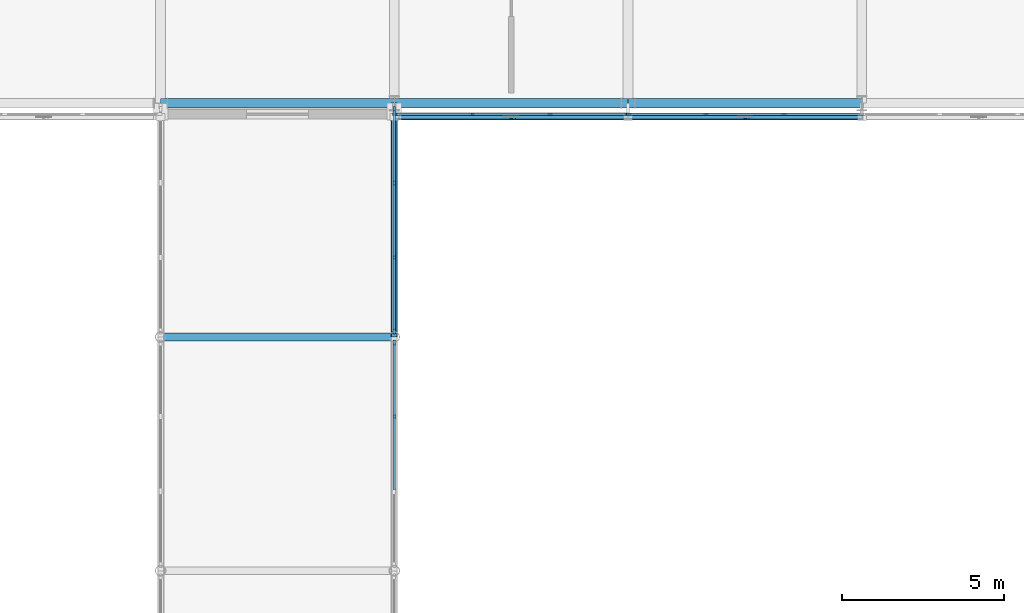
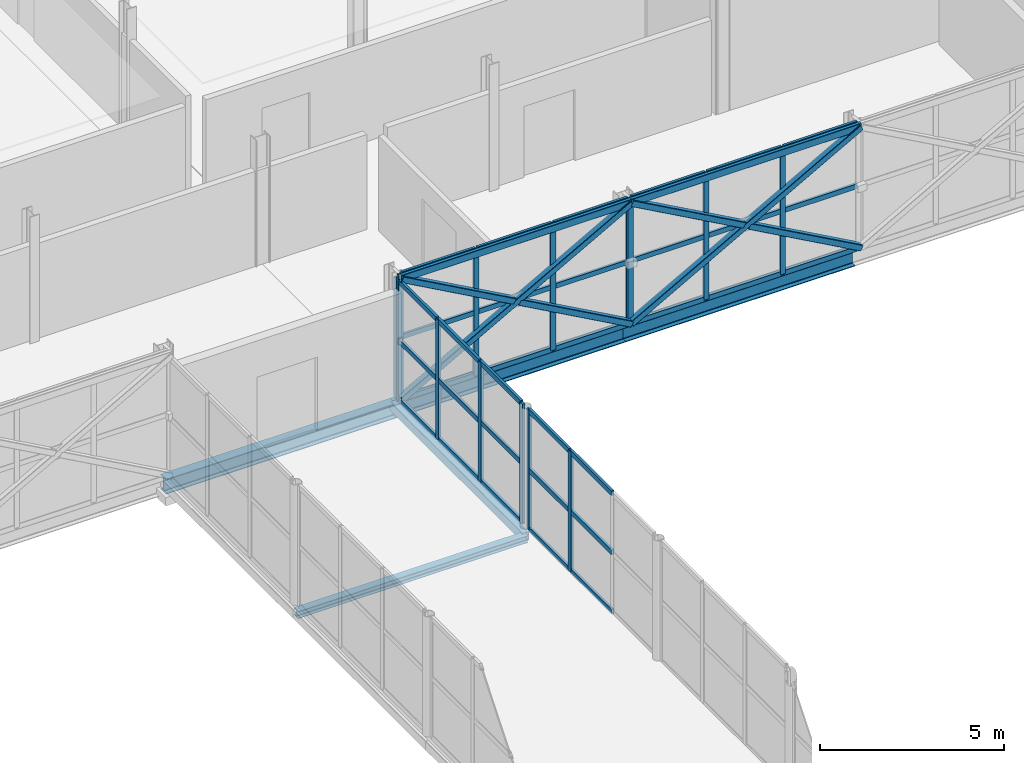
# One storey, part 61 of 146: 54 members, 5 beams, 4 elements without a shape of their own.
"""IFC4 building model written with IfcOpenShell, lengths in metres."""

from ifc_helpers import new_model, si_unit, direction, frame, origin, origin_2d, place, context, subcontext, project, spatial, rectangle, hollow_rectangle, i_section, extrude, material, material_profile, profile_set, type_object, element, aggregate, save


model = new_model("IFC4")

# Units and contexts
model_context = context("Model", 3, precision=1e-05, world=origin(), true_north=direction((0.0, 1.0)))
body_context = subcontext(model_context, "Body", "Model", "MODEL_VIEW")
ifc_project = project(units=[si_unit("LENGTHUNIT", "METRE"), si_unit("AREAUNIT", "SQUARE_METRE"), si_unit("VOLUMEUNIT", "CUBIC_METRE"), si_unit("PLANEANGLEUNIT", "RADIAN"), si_unit("MASSUNIT", "GRAM", prefix="KILO")], contexts=[model_context])

# Site, building, storey
site_placement = place(None, origin())
site = spatial("IfcSite", under=ifc_project, at=site_placement, CompositionType="ELEMENT")
building_placement = place(site_placement, origin())
building = spatial("IfcBuilding", under=site, at=building_placement, Name="Zlatovets Crest Museum", CompositionType="ELEMENT")
storey_placement = place(building_placement, frame((0.0, 0.0, 4.5)))
storey = spatial("IfcBuildingStorey", under=building, at=storey_placement, Name="L01", CompositionType="ELEMENT", Elevation=4.5)

# Beams
ifc_material_1 = material(Name="Structural steel S355J2", Category="steel")
ifc_material_profile_1 = material_profile(ifc_material_1, i_section(OverallWidth=0.300048828125, OverallDepth=0.489990234375, WebThickness=0.011962890625, FlangeThickness=0.02294921875, FilletRadius=0.027099609375, at=origin_2d()), Name="HEA 500")
ifc_profile_set_1 = profile_set([ifc_material_profile_1], Name="Structural steel S355J2")
beam_type_1 = type_object("IfcBeamType", Name="Beam_B-01", PredefinedType="BEAM", material=ifc_profile_set_1)
beam_1_placement = place(storey_placement, frame((79.199951171875, 86.39990234375, -0.465087890625), z_axis=(1.0, 0.0, 0.0), x_axis=(0.0, 1.0, 0.0)))
element("IfcBeam", 1, at=beam_1_placement, inside=storey, type_object=beam_type_1, Name="V1 L01 Primary Girder B-01", PredefinedType="BEAM", context=body_context, shape_type="SweptSolid", body=[
    extrude(i_section(OverallWidth=0.300048828125, OverallDepth=0.489990234375, WebThickness=0.011962890625, FlangeThickness=0.02294921875, FilletRadius=0.027099609375, at=origin_2d()), origin(), (0.0, 0.0, 1.0), 7.199951171875),
])
beam_2_placement = place(storey_placement, frame((86.39990234375, 86.39990234375, -0.465087890625), z_axis=(1.0, 0.0, 0.0), x_axis=(0.0, 1.0, 0.0)))
element("IfcBeam", 2, at=beam_2_placement, inside=storey, type_object=beam_type_1, Name="V1 L01 Primary Girder B-01", PredefinedType="BEAM", context=body_context, shape_type="SweptSolid", body=[
    extrude(i_section(OverallWidth=0.300048828125, OverallDepth=0.489990234375, WebThickness=0.011962890625, FlangeThickness=0.02294921875, FilletRadius=0.027099609375, at=origin_2d()), origin(), (0.0, 0.0, 1.0), 7.2001953125),
])
beam_3_placement = place(storey_placement, frame((93.60009765625, 86.39990234375, -0.465087890625), z_axis=(1.0, 0.0, 0.0), x_axis=(0.0, 1.0, 0.0)))
element("IfcBeam", 3, at=beam_3_placement, inside=storey, type_object=beam_type_1, Name="V1 L01 Primary Girder B-01", PredefinedType="BEAM", context=body_context, shape_type="SweptSolid", body=[
    extrude(i_section(OverallWidth=0.300048828125, OverallDepth=0.489990234375, WebThickness=0.011962890625, FlangeThickness=0.02294921875, FilletRadius=0.027099609375, at=origin_2d()), origin(), (0.0, 0.0, 1.0), 7.199951171875),
])
ifc_material_profile_2 = material_profile(ifc_material_1, i_section(OverallWidth=0.239990234375, OverallDepth=0.22998046875, WebThickness=0.007568359375, FlangeThickness=0.011962890625, FilletRadius=0.02099609375, at=origin_2d()), Name="HEA 240")
ifc_profile_set_2 = profile_set([ifc_material_profile_2], Name="Structural steel S355J2")
beam_type_2 = type_object("IfcBeamType", Name="Beam_B-06", PredefinedType="BEAM", material=ifc_profile_set_2)
beam_4_placement = place(storey_placement, frame((79.199951171875, 79.199951171875, -0.3701171875), z_axis=(1.0, 0.0, 0.0), x_axis=(0.0, 1.0, 0.0)))
element("IfcBeam", 4, at=beam_4_placement, inside=storey, type_object=beam_type_2, Name="Central Sculpture Court Cloister and Skywalk L01 Cross Beam", PredefinedType="BEAM", context=body_context, shape_type="SweptSolid", body=[
    extrude(i_section(OverallWidth=0.239990234375, OverallDepth=0.22998046875, WebThickness=0.007568359375, FlangeThickness=0.011962890625, FilletRadius=0.02099609375, at=origin_2d()), origin(), (0.0, 0.0, 1.0), 7.199951171875),
])
ifc_material_profile_3 = material_profile(ifc_material_1, hollow_rectangle(XDim=0.199951171875, YDim=0.300048828125, WallThickness=0.012451171875, InnerFilletRadius=0.012451171875, OuterFilletRadius=0.02490234375, at=origin_2d()), Name="RHS 200x300x12.5")
ifc_profile_set_3 = profile_set([ifc_material_profile_3], Name="Structural steel S355J2")
beam_type_3 = type_object("IfcBeamType", Name="Beam_BRG-01", PredefinedType="BEAM", material=ifc_profile_set_3)
beam_5_placement = place(storey_placement, frame((86.39990234375, 79.199951171875, -0.3701171875), z_axis=(0.0, 1.0, 0.0), x_axis=(-1.0, 0.0, 0.0)))
element("IfcBeam", 5, at=beam_5_placement, inside=storey, type_object=beam_type_3, Name="Central Sculpture Court Cloister and Skywalk L01 Stringer Beam", PredefinedType="BEAM", context=body_context, shape_type="SweptSolid", body=[
    extrude(hollow_rectangle(XDim=0.199951171875, YDim=0.300048828125, WallThickness=0.012451171875, InnerFilletRadius=0.012451171875, OuterFilletRadius=0.02490234375, at=origin_2d()), origin(), (0.0, 0.0, 1.0), 7.199951171875),
])

# Curtain wall, members
ifc_material_2 = material(Name="Bronze-anodised aluminium and low-E triple glass", Category="aluminium")
curtain_wall_type_1 = type_object("IfcCurtainWallType", Name="CW_CW-V1-L01-M0", PredefinedType="NOTDEFINED", material=ifc_material_2)
curtain_wall_1_placement = place(storey_placement, origin())
curtain_wall_1 = element("IfcCurtainWall", 6, at=curtain_wall_1_placement, inside=storey, type_object=curtain_wall_type_1, Name="V1 L01 Secession Foyer Clear Curtain Wall", PredefinedType="NOTDEFINED")
ifc_material_3 = material(Name="Bronze-anodised aluminium EN AW-6060", Category="aluminium")
ifc_material_profile_4 = material_profile(ifc_material_3, rectangle(XDim=0.080078125, YDim=0.159912109375, at=origin_2d()), Name="ALU 80x160")
ifc_profile_set_4 = profile_set([ifc_material_profile_4], Name="Bronze-anodised aluminium EN AW-6060")
member_type_1 = type_object("IfcMemberType", Name="CWMull_M1", PredefinedType="MULLION", material=ifc_profile_set_4)
member_1_placement = place(storey_placement, frame((86.429931640625, 86.06005859375, 0.0), z_axis=(0.0, 0.0, 1.0), x_axis=(0.0, 1.0, 0.0)))
member_1 = element("IfcMember", 7, at=member_1_placement, type_object=member_type_1, Name="CW-V1-L01-M0 mullion 1", PredefinedType="MULLION", context=body_context, shape_type="SweptSolid", body=[
    extrude(rectangle(XDim=0.080078125, YDim=0.159912109375, at=origin_2d()), origin(), (0.0, 0.0, 1.0), 4.199951171875),
])
member_2_placement = place(storey_placement, frame((88.800048828125, 86.06005859375, 0.0), z_axis=(0.0, 0.0, 1.0), x_axis=(0.0, 1.0, 0.0)))
member_2 = element("IfcMember", 8, at=member_2_placement, type_object=member_type_1, Name="CW-V1-L01-M0 mullion 2", PredefinedType="MULLION", context=body_context, shape_type="SweptSolid", body=[
    extrude(rectangle(XDim=0.080078125, YDim=0.159912109375, at=origin_2d()), origin(), (0.0, 0.0, 1.0), 4.199951171875),
])
member_3_placement = place(storey_placement, frame((91.199951171875, 86.06005859375, 0.0), z_axis=(0.0, 0.0, 1.0), x_axis=(0.0, 1.0, 0.0)))
member_3 = element("IfcMember", 9, at=member_3_placement, type_object=member_type_1, Name="CW-V1-L01-M0 mullion 3", PredefinedType="MULLION", context=body_context, shape_type="SweptSolid", body=[
    extrude(rectangle(XDim=0.080078125, YDim=0.159912109375, at=origin_2d()), origin(), (0.0, 0.0, 1.0), 4.199951171875),
])
member_4_placement = place(storey_placement, frame((93.570068359375, 86.06005859375, 0.0), z_axis=(0.0, 0.0, 1.0), x_axis=(0.0, 1.0, 0.0)))
member_4 = element("IfcMember", 10, at=member_4_placement, type_object=member_type_1, Name="CW-V1-L01-M0 mullion 4", PredefinedType="MULLION", context=body_context, shape_type="SweptSolid", body=[
    extrude(rectangle(XDim=0.080078125, YDim=0.159912109375, at=origin_2d()), origin(), (0.0, 0.0, 1.0), 4.199951171875),
])

curtain_wall_type_2 = type_object("IfcCurtainWallType", Name="CW_CW-V1-L01-M1", PredefinedType="NOTDEFINED", material=ifc_material_2)
curtain_wall_2_placement = place(storey_placement, origin())
curtain_wall_2 = element("IfcCurtainWall", 11, at=curtain_wall_2_placement, inside=storey, type_object=curtain_wall_type_2, Name="V1 L01 Secession Foyer Clear Curtain Wall", PredefinedType="NOTDEFINED")
member_5_placement = place(storey_placement, frame((93.6298828125, 86.06005859375, 0.0), z_axis=(0.0, 0.0, 1.0), x_axis=(0.0, 1.0, 0.0)))
member_5 = element("IfcMember", 12, at=member_5_placement, type_object=member_type_1, Name="CW-V1-L01-M1 mullion 1", PredefinedType="MULLION", context=body_context, shape_type="SweptSolid", body=[
    extrude(rectangle(XDim=0.080078125, YDim=0.159912109375, at=origin_2d()), origin(), (0.0, 0.0, 1.0), 4.199951171875),
])
member_6_placement = place(storey_placement, frame((96.0, 86.06005859375, 0.0), z_axis=(0.0, 0.0, 1.0), x_axis=(0.0, 1.0, 0.0)))
member_6 = element("IfcMember", 13, at=member_6_placement, type_object=member_type_1, Name="CW-V1-L01-M1 mullion 2", PredefinedType="MULLION", context=body_context, shape_type="SweptSolid", body=[
    extrude(rectangle(XDim=0.080078125, YDim=0.159912109375, at=origin_2d()), origin(), (0.0, 0.0, 1.0), 4.199951171875),
])
member_7_placement = place(storey_placement, frame((98.39990234375, 86.06005859375, 0.0), z_axis=(0.0, 0.0, 1.0), x_axis=(0.0, 1.0, 0.0)))
member_7 = element("IfcMember", 14, at=member_7_placement, type_object=member_type_1, Name="CW-V1-L01-M1 mullion 3", PredefinedType="MULLION", context=body_context, shape_type="SweptSolid", body=[
    extrude(rectangle(XDim=0.080078125, YDim=0.159912109375, at=origin_2d()), origin(), (0.0, 0.0, 1.0), 4.199951171875),
])

curtain_wall_type_3 = type_object("IfcCurtainWallType", Name="CW_CW-BR5-L01-S69", PredefinedType="NOTDEFINED", material=ifc_material_2)
curtain_wall_3_placement = place(storey_placement, origin())
curtain_wall_3 = element("IfcCurtainWall", 15, at=curtain_wall_3_placement, inside=storey, type_object=curtain_wall_type_3, Name="Central Sculpture Court Cloister and Skywalk L01 Glazed Bridge Curtain Wall", PredefinedType="NOTDEFINED")
member_8_placement = place(storey_placement, frame((86.39990234375, 76.75, 0.0), z_axis=(0.0, 0.0, 1.0), x_axis=(-1.0, 0.0, 0.0)))
member_8 = element("IfcMember", 16, at=member_8_placement, type_object=member_type_1, Name="CW-BR5-L01-S69 mullion 3", PredefinedType="MULLION", context=body_context, shape_type="SweptSolid", body=[
    extrude(rectangle(XDim=0.080078125, YDim=0.159912109375, at=origin_2d()), origin(), (0.0, 0.0, 1.0), 3.97998046875),
])
member_9_placement = place(storey_placement, frame((86.39990234375, 79.02001953125, 0.0), z_axis=(0.0, 0.0, 1.0), x_axis=(-1.0, 0.0, 0.0)))
member_9 = element("IfcMember", 17, at=member_9_placement, type_object=member_type_1, Name="CW-BR5-L01-S69 mullion 4", PredefinedType="MULLION", context=body_context, shape_type="SweptSolid", body=[
    extrude(rectangle(XDim=0.080078125, YDim=0.159912109375, at=origin_2d()), origin(), (0.0, 0.0, 1.0), 3.97998046875),
])

curtain_wall_4_placement = place(storey_placement, origin())
curtain_wall_4 = element("IfcCurtainWall", 18, at=curtain_wall_4_placement, inside=storey, type_object=curtain_wall_type_3, Name="Central Sculpture Court Cloister and Skywalk L01 Glazed Bridge Curtain Wall", PredefinedType="NOTDEFINED")
member_10_placement = place(storey_placement, frame((86.39990234375, 79.3798828125, 0.0), z_axis=(0.0, 0.0, 1.0), x_axis=(-1.0, 0.0, 0.0)))
member_10 = element("IfcMember", 19, at=member_10_placement, type_object=member_type_1, Name="CW-BR5-L01-S69 mullion 1", PredefinedType="MULLION", context=body_context, shape_type="SweptSolid", body=[
    extrude(rectangle(XDim=0.080078125, YDim=0.159912109375, at=origin_2d()), origin(), (0.0, 0.0, 1.0), 3.97998046875),
])
member_11_placement = place(storey_placement, frame((86.39990234375, 81.64990234375, 0.0), z_axis=(0.0, 0.0, 1.0), x_axis=(-1.0, 0.0, 0.0)))
member_11 = element("IfcMember", 20, at=member_11_placement, type_object=member_type_1, Name="CW-BR5-L01-S69 mullion 2", PredefinedType="MULLION", context=body_context, shape_type="SweptSolid", body=[
    extrude(rectangle(XDim=0.080078125, YDim=0.159912109375, at=origin_2d()), origin(), (0.0, 0.0, 1.0), 3.97998046875),
])
member_12_placement = place(storey_placement, frame((86.39990234375, 83.949951171875, 0.0), z_axis=(0.0, 0.0, 1.0), x_axis=(-1.0, 0.0, 0.0)))
member_12 = element("IfcMember", 21, at=member_12_placement, type_object=member_type_1, Name="CW-BR5-L01-S69 mullion 3", PredefinedType="MULLION", context=body_context, shape_type="SweptSolid", body=[
    extrude(rectangle(XDim=0.080078125, YDim=0.159912109375, at=origin_2d()), origin(), (0.0, 0.0, 1.0), 3.97998046875),
])
member_13_placement = place(storey_placement, frame((86.39990234375, 86.219970703125, 0.0), z_axis=(0.0, 0.0, 1.0), x_axis=(-1.0, 0.0, 0.0)))
member_13 = element("IfcMember", 22, at=member_13_placement, type_object=member_type_1, Name="CW-BR5-L01-S69 mullion 4", PredefinedType="MULLION", context=body_context, shape_type="SweptSolid", body=[
    extrude(rectangle(XDim=0.080078125, YDim=0.159912109375, at=origin_2d()), origin(), (0.0, 0.0, 1.0), 3.97998046875),
])

# Member
ifc_material_profile_5 = material_profile(ifc_material_3, rectangle(XDim=0.080078125, YDim=0.159912109375, at=origin_2d()), Name="ALU 80x160")
ifc_profile_set_5 = profile_set([ifc_material_profile_5], Name="Bronze-anodised aluminium EN AW-6060")
member_type_2 = type_object("IfcMemberType", Name="CWTrans_T1", PredefinedType="USERDEFINED", material=ifc_profile_set_5)
member_14_placement = place(storey_placement, frame((86.4599609375, 86.06005859375, 0.030029296875), z_axis=(1.0, 0.0, 0.0), x_axis=(0.0, 1.0, 0.0)))
member_14 = element("IfcMember", 23, at=member_14_placement, type_object=member_type_2, Name="CW-V1-L01-M0 transom 1.1", ObjectType="TRANSOM", PredefinedType="USERDEFINED", context=body_context, shape_type="SweptSolid", body=[
    extrude(rectangle(XDim=0.080078125, YDim=0.159912109375, at=origin_2d()), origin(), (0.0, 0.0, 1.0), 2.31005859375),
])

member_15_placement = place(storey_placement, frame((86.4599609375, 86.06005859375, 2.10009765625), z_axis=(1.0, 0.0, 0.0), x_axis=(0.0, 1.0, 0.0)))
member_15 = element("IfcMember", 24, at=member_15_placement, type_object=member_type_2, Name="CW-V1-L01-M0 transom 1.2", ObjectType="TRANSOM", PredefinedType="USERDEFINED", context=body_context, shape_type="SweptSolid", body=[
    extrude(rectangle(XDim=0.080078125, YDim=0.159912109375, at=origin_2d()), origin(), (0.0, 0.0, 1.0), 2.31005859375),
])

member_16_placement = place(storey_placement, frame((86.4599609375, 86.06005859375, 4.169921875), z_axis=(1.0, 0.0, 0.0), x_axis=(0.0, 1.0, 0.0)))
member_16 = element("IfcMember", 25, at=member_16_placement, type_object=member_type_2, Name="CW-V1-L01-M0 transom 1.3", ObjectType="TRANSOM", PredefinedType="USERDEFINED", context=body_context, shape_type="SweptSolid", body=[
    extrude(rectangle(XDim=0.080078125, YDim=0.159912109375, at=origin_2d()), origin(), (0.0, 0.0, 1.0), 2.31005859375),
])

member_17_placement = place(storey_placement, frame((88.830078125, 86.06005859375, 0.030029296875), z_axis=(1.0, 0.0, 0.0), x_axis=(0.0, 1.0, 0.0)))
member_17 = element("IfcMember", 26, at=member_17_placement, type_object=member_type_2, Name="CW-V1-L01-M0 transom 2.1", ObjectType="TRANSOM", PredefinedType="USERDEFINED", context=body_context, shape_type="SweptSolid", body=[
    extrude(rectangle(XDim=0.080078125, YDim=0.159912109375, at=origin_2d()), origin(), (0.0, 0.0, 1.0), 2.33984375),
])

member_18_placement = place(storey_placement, frame((88.830078125, 86.06005859375, 2.10009765625), z_axis=(1.0, 0.0, 0.0), x_axis=(0.0, 1.0, 0.0)))
member_18 = element("IfcMember", 27, at=member_18_placement, type_object=member_type_2, Name="CW-V1-L01-M0 transom 2.2", ObjectType="TRANSOM", PredefinedType="USERDEFINED", context=body_context, shape_type="SweptSolid", body=[
    extrude(rectangle(XDim=0.080078125, YDim=0.159912109375, at=origin_2d()), origin(), (0.0, 0.0, 1.0), 2.33984375),
])

member_19_placement = place(storey_placement, frame((88.830078125, 86.06005859375, 4.169921875), z_axis=(1.0, 0.0, 0.0), x_axis=(0.0, 1.0, 0.0)))
member_19 = element("IfcMember", 28, at=member_19_placement, type_object=member_type_2, Name="CW-V1-L01-M0 transom 2.3", ObjectType="TRANSOM", PredefinedType="USERDEFINED", context=body_context, shape_type="SweptSolid", body=[
    extrude(rectangle(XDim=0.080078125, YDim=0.159912109375, at=origin_2d()), origin(), (0.0, 0.0, 1.0), 2.33984375),
])

member_20_placement = place(storey_placement, frame((91.22998046875, 86.06005859375, 0.030029296875), z_axis=(1.0, 0.0, 0.0), x_axis=(0.0, 1.0, 0.0)))
member_20 = element("IfcMember", 29, at=member_20_placement, type_object=member_type_2, Name="CW-V1-L01-M0 transom 3.1", ObjectType="TRANSOM", PredefinedType="USERDEFINED", context=body_context, shape_type="SweptSolid", body=[
    extrude(rectangle(XDim=0.080078125, YDim=0.159912109375, at=origin_2d()), origin(), (0.0, 0.0, 1.0), 2.31005859375),
])

member_21_placement = place(storey_placement, frame((91.22998046875, 86.06005859375, 2.10009765625), z_axis=(1.0, 0.0, 0.0), x_axis=(0.0, 1.0, 0.0)))
member_21 = element("IfcMember", 30, at=member_21_placement, type_object=member_type_2, Name="CW-V1-L01-M0 transom 3.2", ObjectType="TRANSOM", PredefinedType="USERDEFINED", context=body_context, shape_type="SweptSolid", body=[
    extrude(rectangle(XDim=0.080078125, YDim=0.159912109375, at=origin_2d()), origin(), (0.0, 0.0, 1.0), 2.31005859375),
])

member_22_placement = place(storey_placement, frame((91.22998046875, 86.06005859375, 4.169921875), z_axis=(1.0, 0.0, 0.0), x_axis=(0.0, 1.0, 0.0)))
member_22 = element("IfcMember", 31, at=member_22_placement, type_object=member_type_2, Name="CW-V1-L01-M0 transom 3.3", ObjectType="TRANSOM", PredefinedType="USERDEFINED", context=body_context, shape_type="SweptSolid", body=[
    extrude(rectangle(XDim=0.080078125, YDim=0.159912109375, at=origin_2d()), origin(), (0.0, 0.0, 1.0), 2.31005859375),
])

aggregate(curtain_wall_1, [member_1, member_2, member_3, member_4, member_14, member_15, member_16, member_17, member_18, member_19, member_20, member_21, member_22])

member_23_placement = place(storey_placement, frame((93.659912109375, 86.06005859375, 0.030029296875), z_axis=(1.0, 0.0, 0.0), x_axis=(0.0, 1.0, 0.0)))
member_23 = element("IfcMember", 32, at=member_23_placement, type_object=member_type_2, Name="CW-V1-L01-M1 transom 1.1", ObjectType="TRANSOM", PredefinedType="USERDEFINED", context=body_context, shape_type="SweptSolid", body=[
    extrude(rectangle(XDim=0.080078125, YDim=0.159912109375, at=origin_2d()), origin(), (0.0, 0.0, 1.0), 2.31005859375),
])

member_24_placement = place(storey_placement, frame((93.659912109375, 86.06005859375, 2.10009765625), z_axis=(1.0, 0.0, 0.0), x_axis=(0.0, 1.0, 0.0)))
member_24 = element("IfcMember", 33, at=member_24_placement, type_object=member_type_2, Name="CW-V1-L01-M1 transom 1.2", ObjectType="TRANSOM", PredefinedType="USERDEFINED", context=body_context, shape_type="SweptSolid", body=[
    extrude(rectangle(XDim=0.080078125, YDim=0.159912109375, at=origin_2d()), origin(), (0.0, 0.0, 1.0), 2.31005859375),
])

member_25_placement = place(storey_placement, frame((93.659912109375, 86.06005859375, 4.169921875), z_axis=(1.0, 0.0, 0.0), x_axis=(0.0, 1.0, 0.0)))
member_25 = element("IfcMember", 34, at=member_25_placement, type_object=member_type_2, Name="CW-V1-L01-M1 transom 1.3", ObjectType="TRANSOM", PredefinedType="USERDEFINED", context=body_context, shape_type="SweptSolid", body=[
    extrude(rectangle(XDim=0.080078125, YDim=0.159912109375, at=origin_2d()), origin(), (0.0, 0.0, 1.0), 2.31005859375),
])

member_26_placement = place(storey_placement, frame((96.030029296875, 86.06005859375, 0.030029296875), z_axis=(1.0, 0.0, 0.0), x_axis=(0.0, 1.0, 0.0)))
member_26 = element("IfcMember", 35, at=member_26_placement, type_object=member_type_2, Name="CW-V1-L01-M1 transom 2.1", ObjectType="TRANSOM", PredefinedType="USERDEFINED", context=body_context, shape_type="SweptSolid", body=[
    extrude(rectangle(XDim=0.080078125, YDim=0.159912109375, at=origin_2d()), origin(), (0.0, 0.0, 1.0), 2.340087890625),
])

member_27_placement = place(storey_placement, frame((96.030029296875, 86.06005859375, 2.10009765625), z_axis=(1.0, 0.0, 0.0), x_axis=(0.0, 1.0, 0.0)))
member_27 = element("IfcMember", 36, at=member_27_placement, type_object=member_type_2, Name="CW-V1-L01-M1 transom 2.2", ObjectType="TRANSOM", PredefinedType="USERDEFINED", context=body_context, shape_type="SweptSolid", body=[
    extrude(rectangle(XDim=0.080078125, YDim=0.159912109375, at=origin_2d()), origin(), (0.0, 0.0, 1.0), 2.340087890625),
])

member_28_placement = place(storey_placement, frame((96.030029296875, 86.06005859375, 4.169921875), z_axis=(1.0, 0.0, 0.0), x_axis=(0.0, 1.0, 0.0)))
member_28 = element("IfcMember", 37, at=member_28_placement, type_object=member_type_2, Name="CW-V1-L01-M1 transom 2.3", ObjectType="TRANSOM", PredefinedType="USERDEFINED", context=body_context, shape_type="SweptSolid", body=[
    extrude(rectangle(XDim=0.080078125, YDim=0.159912109375, at=origin_2d()), origin(), (0.0, 0.0, 1.0), 2.340087890625),
])

member_29_placement = place(storey_placement, frame((98.429931640625, 86.06005859375, 0.030029296875), z_axis=(1.0, 0.0, 0.0), x_axis=(0.0, 1.0, 0.0)))
member_29 = element("IfcMember", 38, at=member_29_placement, type_object=member_type_2, Name="CW-V1-L01-M1 transom 3.1", ObjectType="TRANSOM", PredefinedType="USERDEFINED", context=body_context, shape_type="SweptSolid", body=[
    extrude(rectangle(XDim=0.080078125, YDim=0.159912109375, at=origin_2d()), origin(), (0.0, 0.0, 1.0), 2.31005859375),
])

member_30_placement = place(storey_placement, frame((98.429931640625, 86.06005859375, 2.10009765625), z_axis=(1.0, 0.0, 0.0), x_axis=(0.0, 1.0, 0.0)))
member_30 = element("IfcMember", 39, at=member_30_placement, type_object=member_type_2, Name="CW-V1-L01-M1 transom 3.2", ObjectType="TRANSOM", PredefinedType="USERDEFINED", context=body_context, shape_type="SweptSolid", body=[
    extrude(rectangle(XDim=0.080078125, YDim=0.159912109375, at=origin_2d()), origin(), (0.0, 0.0, 1.0), 2.31005859375),
])

member_31_placement = place(storey_placement, frame((98.429931640625, 86.06005859375, 4.169921875), z_axis=(1.0, 0.0, 0.0), x_axis=(0.0, 1.0, 0.0)))
member_31 = element("IfcMember", 40, at=member_31_placement, type_object=member_type_2, Name="CW-V1-L01-M1 transom 3.3", ObjectType="TRANSOM", PredefinedType="USERDEFINED", context=body_context, shape_type="SweptSolid", body=[
    extrude(rectangle(XDim=0.080078125, YDim=0.159912109375, at=origin_2d()), origin(), (0.0, 0.0, 1.0), 2.31005859375),
])

aggregate(curtain_wall_2, [member_5, member_6, member_7, member_23, member_24, member_25, member_26, member_27, member_28, member_29, member_30, member_31])

member_32_placement = place(storey_placement, frame((86.39990234375, 74.47998046875, 0.030029296875), z_axis=(0.0, 1.0, 0.0), x_axis=(-1.0, 0.0, 0.0)))
member_32 = element("IfcMember", 41, at=member_32_placement, type_object=member_type_2, Name="CW-BR5-L01-S69 transom 2.1", ObjectType="TRANSOM", PredefinedType="USERDEFINED", context=body_context, shape_type="SweptSolid", body=[
    extrude(rectangle(XDim=0.080078125, YDim=0.159912109375, at=origin_2d()), origin(), (0.0, 0.0, 1.0), 2.239990234375),
])

member_33_placement = place(storey_placement, frame((86.39990234375, 74.47998046875, 1.989990234375), z_axis=(0.0, 1.0, 0.0), x_axis=(-1.0, 0.0, 0.0)))
member_33 = element("IfcMember", 42, at=member_33_placement, type_object=member_type_2, Name="CW-BR5-L01-S69 transom 2.2", ObjectType="TRANSOM", PredefinedType="USERDEFINED", context=body_context, shape_type="SweptSolid", body=[
    extrude(rectangle(XDim=0.080078125, YDim=0.159912109375, at=origin_2d()), origin(), (0.0, 0.0, 1.0), 2.239990234375),
])

member_34_placement = place(storey_placement, frame((86.39990234375, 74.47998046875, 3.949951171875), z_axis=(0.0, 1.0, 0.0), x_axis=(-1.0, 0.0, 0.0)))
member_34 = element("IfcMember", 43, at=member_34_placement, type_object=member_type_2, Name="CW-BR5-L01-S69 transom 2.3", ObjectType="TRANSOM", PredefinedType="USERDEFINED", context=body_context, shape_type="SweptSolid", body=[
    extrude(rectangle(XDim=0.080078125, YDim=0.159912109375, at=origin_2d()), origin(), (0.0, 0.0, 1.0), 2.239990234375),
])

member_35_placement = place(storey_placement, frame((86.39990234375, 76.780029296875, 0.030029296875), z_axis=(0.0, 1.0, 0.0), x_axis=(-1.0, 0.0, 0.0)))
member_35 = element("IfcMember", 44, at=member_35_placement, type_object=member_type_2, Name="CW-BR5-L01-S69 transom 3.1", ObjectType="TRANSOM", PredefinedType="USERDEFINED", context=body_context, shape_type="SweptSolid", body=[
    extrude(rectangle(XDim=0.080078125, YDim=0.159912109375, at=origin_2d()), origin(), (0.0, 0.0, 1.0), 2.2099609375),
])

member_36_placement = place(storey_placement, frame((86.39990234375, 76.780029296875, 1.989990234375), z_axis=(0.0, 1.0, 0.0), x_axis=(-1.0, 0.0, 0.0)))
member_36 = element("IfcMember", 45, at=member_36_placement, type_object=member_type_2, Name="CW-BR5-L01-S69 transom 3.2", ObjectType="TRANSOM", PredefinedType="USERDEFINED", context=body_context, shape_type="SweptSolid", body=[
    extrude(rectangle(XDim=0.080078125, YDim=0.159912109375, at=origin_2d()), origin(), (0.0, 0.0, 1.0), 2.2099609375),
])

member_37_placement = place(storey_placement, frame((86.39990234375, 76.780029296875, 3.949951171875), z_axis=(0.0, 1.0, 0.0), x_axis=(-1.0, 0.0, 0.0)))
member_37 = element("IfcMember", 46, at=member_37_placement, type_object=member_type_2, Name="CW-BR5-L01-S69 transom 3.3", ObjectType="TRANSOM", PredefinedType="USERDEFINED", context=body_context, shape_type="SweptSolid", body=[
    extrude(rectangle(XDim=0.080078125, YDim=0.159912109375, at=origin_2d()), origin(), (0.0, 0.0, 1.0), 2.2099609375),
])

aggregate(curtain_wall_3, [member_8, member_9, member_32, member_33, member_34, member_35, member_36, member_37])

member_38_placement = place(storey_placement, frame((86.39990234375, 79.409912109375, 0.030029296875), z_axis=(0.0, 1.0, 0.0), x_axis=(-1.0, 0.0, 0.0)))
member_38 = element("IfcMember", 47, at=member_38_placement, type_object=member_type_2, Name="CW-BR5-L01-S69 transom 1.1", ObjectType="TRANSOM", PredefinedType="USERDEFINED", context=body_context, shape_type="SweptSolid", body=[
    extrude(rectangle(XDim=0.080078125, YDim=0.159912109375, at=origin_2d()), origin(), (0.0, 0.0, 1.0), 2.210205078125),
])

member_39_placement = place(storey_placement, frame((86.39990234375, 79.409912109375, 1.989990234375), z_axis=(0.0, 1.0, 0.0), x_axis=(-1.0, 0.0, 0.0)))
member_39 = element("IfcMember", 48, at=member_39_placement, type_object=member_type_2, Name="CW-BR5-L01-S69 transom 1.2", ObjectType="TRANSOM", PredefinedType="USERDEFINED", context=body_context, shape_type="SweptSolid", body=[
    extrude(rectangle(XDim=0.080078125, YDim=0.159912109375, at=origin_2d()), origin(), (0.0, 0.0, 1.0), 2.210205078125),
])

member_40_placement = place(storey_placement, frame((86.39990234375, 79.409912109375, 3.949951171875), z_axis=(0.0, 1.0, 0.0), x_axis=(-1.0, 0.0, 0.0)))
member_40 = element("IfcMember", 49, at=member_40_placement, type_object=member_type_2, Name="CW-BR5-L01-S69 transom 1.3", ObjectType="TRANSOM", PredefinedType="USERDEFINED", context=body_context, shape_type="SweptSolid", body=[
    extrude(rectangle(XDim=0.080078125, YDim=0.159912109375, at=origin_2d()), origin(), (0.0, 0.0, 1.0), 2.210205078125),
])

member_41_placement = place(storey_placement, frame((86.39990234375, 81.679931640625, 0.030029296875), z_axis=(0.0, 1.0, 0.0), x_axis=(-1.0, 0.0, 0.0)))
member_41 = element("IfcMember", 50, at=member_41_placement, type_object=member_type_2, Name="CW-BR5-L01-S69 transom 2.1", ObjectType="TRANSOM", PredefinedType="USERDEFINED", context=body_context, shape_type="SweptSolid", body=[
    extrude(rectangle(XDim=0.080078125, YDim=0.159912109375, at=origin_2d()), origin(), (0.0, 0.0, 1.0), 2.239990234375),
])

member_42_placement = place(storey_placement, frame((86.39990234375, 81.679931640625, 1.989990234375), z_axis=(0.0, 1.0, 0.0), x_axis=(-1.0, 0.0, 0.0)))
member_42 = element("IfcMember", 51, at=member_42_placement, type_object=member_type_2, Name="CW-BR5-L01-S69 transom 2.2", ObjectType="TRANSOM", PredefinedType="USERDEFINED", context=body_context, shape_type="SweptSolid", body=[
    extrude(rectangle(XDim=0.080078125, YDim=0.159912109375, at=origin_2d()), origin(), (0.0, 0.0, 1.0), 2.239990234375),
])

member_43_placement = place(storey_placement, frame((86.39990234375, 81.679931640625, 3.949951171875), z_axis=(0.0, 1.0, 0.0), x_axis=(-1.0, 0.0, 0.0)))
member_43 = element("IfcMember", 52, at=member_43_placement, type_object=member_type_2, Name="CW-BR5-L01-S69 transom 2.3", ObjectType="TRANSOM", PredefinedType="USERDEFINED", context=body_context, shape_type="SweptSolid", body=[
    extrude(rectangle(XDim=0.080078125, YDim=0.159912109375, at=origin_2d()), origin(), (0.0, 0.0, 1.0), 2.239990234375),
])

member_44_placement = place(storey_placement, frame((86.39990234375, 83.97998046875, 0.030029296875), z_axis=(0.0, 1.0, 0.0), x_axis=(-1.0, 0.0, 0.0)))
member_44 = element("IfcMember", 53, at=member_44_placement, type_object=member_type_2, Name="CW-BR5-L01-S69 transom 3.1", ObjectType="TRANSOM", PredefinedType="USERDEFINED", context=body_context, shape_type="SweptSolid", body=[
    extrude(rectangle(XDim=0.080078125, YDim=0.159912109375, at=origin_2d()), origin(), (0.0, 0.0, 1.0), 2.2099609375),
])

member_45_placement = place(storey_placement, frame((86.39990234375, 83.97998046875, 1.989990234375), z_axis=(0.0, 1.0, 0.0), x_axis=(-1.0, 0.0, 0.0)))
member_45 = element("IfcMember", 54, at=member_45_placement, type_object=member_type_2, Name="CW-BR5-L01-S69 transom 3.2", ObjectType="TRANSOM", PredefinedType="USERDEFINED", context=body_context, shape_type="SweptSolid", body=[
    extrude(rectangle(XDim=0.080078125, YDim=0.159912109375, at=origin_2d()), origin(), (0.0, 0.0, 1.0), 2.2099609375),
])

member_46_placement = place(storey_placement, frame((86.39990234375, 83.97998046875, 3.949951171875), z_axis=(0.0, 1.0, 0.0), x_axis=(-1.0, 0.0, 0.0)))
member_46 = element("IfcMember", 55, at=member_46_placement, type_object=member_type_2, Name="CW-BR5-L01-S69 transom 3.3", ObjectType="TRANSOM", PredefinedType="USERDEFINED", context=body_context, shape_type="SweptSolid", body=[
    extrude(rectangle(XDim=0.080078125, YDim=0.159912109375, at=origin_2d()), origin(), (0.0, 0.0, 1.0), 2.2099609375),
])

aggregate(curtain_wall_4, [member_10, member_11, member_12, member_13, member_38, member_39, member_40, member_41, member_42, member_43, member_44, member_45, member_46])

# Members
ifc_material_4 = material(Name="Weathering bronze-steel S355J2W", Category="steel")
ifc_material_profile_6 = material_profile(ifc_material_4, hollow_rectangle(XDim=0.199951171875, YDim=0.199951171875, WallThickness=0.012451171875, InnerFilletRadius=0.012451171875, OuterFilletRadius=0.02490234375, at=origin_2d()), Name="SHS 200x200x12.5")
ifc_profile_set_6 = profile_set([ifc_material_profile_6], Name="Weathering bronze-steel S355J2W")
member_type_3 = type_object("IfcMemberType", Name="Lattice_XL-02", PredefinedType="BRACE", material=ifc_profile_set_6)
member_47_placement = place(storey_placement, frame((86.39990234375, 85.97998046875, 0.10009765625), z_axis=(0.874162868644, 0.0, 0.485632864501), x_axis=(0.0, 1.0, 0.0)))
element("IfcMember", 56, at=member_47_placement, inside=storey, type_object=member_type_3, Name="Continuous Bronze Lattice Diagonal", PredefinedType="BRACE", context=body_context, shape_type="SweptSolid", body=[
    extrude(hollow_rectangle(XDim=0.199951171875, YDim=0.199951171875, WallThickness=0.012451171875, InnerFilletRadius=0.012451171875, OuterFilletRadius=0.02490234375, at=origin_2d()), origin(), (0.0, 0.0, 1.0), 8.236572265625),
])
for number, where, z_axis, x_axis, name in (
    (57, (86.39990234375, 85.97998046875, 4.10009765625), (0.874140102304, 0.0, -0.485673842763), (0.0, 1.0, 0.0), "Split Crossing Bronze Lattice Diagonal Upper"),
    (58, (90.0830078125, 85.97998046875, 2.053955078125), (0.874165862873, 0.0, -0.485627474703), (0.0, 1.0, 0.0), "Split Crossing Bronze Lattice Diagonal Lower"),
):
    element("IfcMember", number, at=place(storey_placement, frame(where, z_axis=z_axis, x_axis=x_axis)), inside=storey, type_object=member_type_3, Name=name, PredefinedType="BRACE", context=body_context, shape_type="SweptSolid", body=[
        extrude(hollow_rectangle(XDim=0.199951171875, YDim=0.199951171875, WallThickness=0.012451171875, InnerFilletRadius=0.012451171875, OuterFilletRadius=0.02490234375, at=origin_2d()), origin(), (0.0, 0.0, 1.0), 4.0234375),
    ])
member_48_placement = place(storey_placement, frame((93.60009765625, 85.97998046875, 0.10009765625), z_axis=(0.874155877937, 0.0, 0.485645447903), x_axis=(0.0, 1.0, 0.0)))
element("IfcMember", 59, at=member_48_placement, inside=storey, type_object=member_type_3, Name="Continuous Bronze Lattice Diagonal", PredefinedType="BRACE", context=body_context, shape_type="SweptSolid", body=[
    extrude(hollow_rectangle(XDim=0.199951171875, YDim=0.199951171875, WallThickness=0.012451171875, InnerFilletRadius=0.012451171875, OuterFilletRadius=0.02490234375, at=origin_2d()), origin(), (0.0, 0.0, 1.0), 8.236572265625),
])
member_49_placement = place(storey_placement, frame((93.60009765625, 85.97998046875, 4.10009765625), z_axis=(0.874125788284, 0.0, -0.485699604958), x_axis=(0.0, 1.0, 0.0)))
element("IfcMember", 60, at=member_49_placement, inside=storey, type_object=member_type_3, Name="Split Crossing Bronze Lattice Diagonal Upper", PredefinedType="BRACE", context=body_context, shape_type="SweptSolid", body=[
    extrude(hollow_rectangle(XDim=0.199951171875, YDim=0.199951171875, WallThickness=0.012451171875, InnerFilletRadius=0.012451171875, OuterFilletRadius=0.02490234375, at=origin_2d()), origin(), (0.0, 0.0, 1.0), 4.023193359375),
])
member_50_placement = place(storey_placement, frame((97.282958984375, 85.97998046875, 2.053955078125), z_axis=(0.874165862873, 0.0, -0.485627474703), x_axis=(0.0, 1.0, 0.0)))
element("IfcMember", 61, at=member_50_placement, inside=storey, type_object=member_type_3, Name="Split Crossing Bronze Lattice Diagonal Lower", PredefinedType="BRACE", context=body_context, shape_type="SweptSolid", body=[
    extrude(hollow_rectangle(XDim=0.199951171875, YDim=0.199951171875, WallThickness=0.012451171875, InnerFilletRadius=0.012451171875, OuterFilletRadius=0.02490234375, at=origin_2d()), origin(), (0.0, 0.0, 1.0), 4.0234375),
])
ifc_material_profile_7 = material_profile(ifc_material_4, hollow_rectangle(XDim=0.1201171875, YDim=0.239990234375, WallThickness=0.010009765625, InnerFilletRadius=0.010009765625, OuterFilletRadius=0.02001953125, at=origin_2d()), Name="RHS 120x240x10.0")
ifc_profile_set_7 = profile_set([ifc_material_profile_7], Name="Weathering bronze-steel S355J2W")
member_type_4 = type_object("IfcMemberType", Name="Lattice_XL-04", PredefinedType="CHORD", material=ifc_profile_set_7)
member_51_placement = place(storey_placement, frame((86.39990234375, 85.97998046875, 4.10009765625), z_axis=(1.0, 0.0, 0.0), x_axis=(0.0, 1.0, 0.0)))
element("IfcMember", 62, at=member_51_placement, inside=storey, type_object=member_type_4, Name="Art Nouveau Woven Cage Collector Ring Chord", PredefinedType="CHORD", context=body_context, shape_type="SweptSolid", body=[
    extrude(hollow_rectangle(XDim=0.1201171875, YDim=0.239990234375, WallThickness=0.010009765625, InnerFilletRadius=0.010009765625, OuterFilletRadius=0.02001953125, at=origin_2d()), origin(), (0.0, 0.0, 1.0), 7.2001953125),
])
member_52_placement = place(storey_placement, frame((93.60009765625, 85.97998046875, 4.10009765625), z_axis=(1.0, 0.0, 0.0), x_axis=(0.0, 1.0, 0.0)))
element("IfcMember", 63, at=member_52_placement, inside=storey, type_object=member_type_4, Name="Art Nouveau Woven Cage Collector Ring Chord", PredefinedType="CHORD", context=body_context, shape_type="SweptSolid", body=[
    extrude(hollow_rectangle(XDim=0.1201171875, YDim=0.239990234375, WallThickness=0.010009765625, InnerFilletRadius=0.010009765625, OuterFilletRadius=0.02001953125, at=origin_2d()), origin(), (0.0, 0.0, 1.0), 7.199951171875),
])

save(model, "model.ifc")
